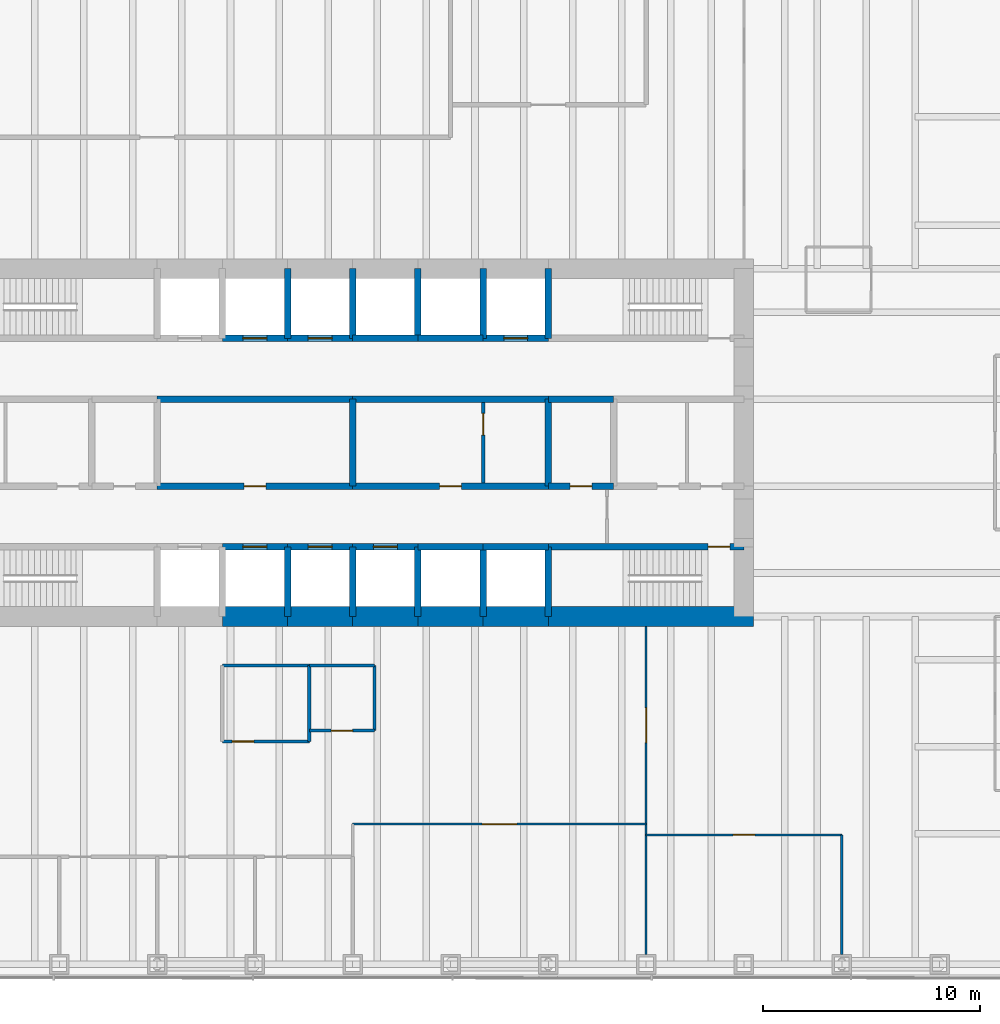
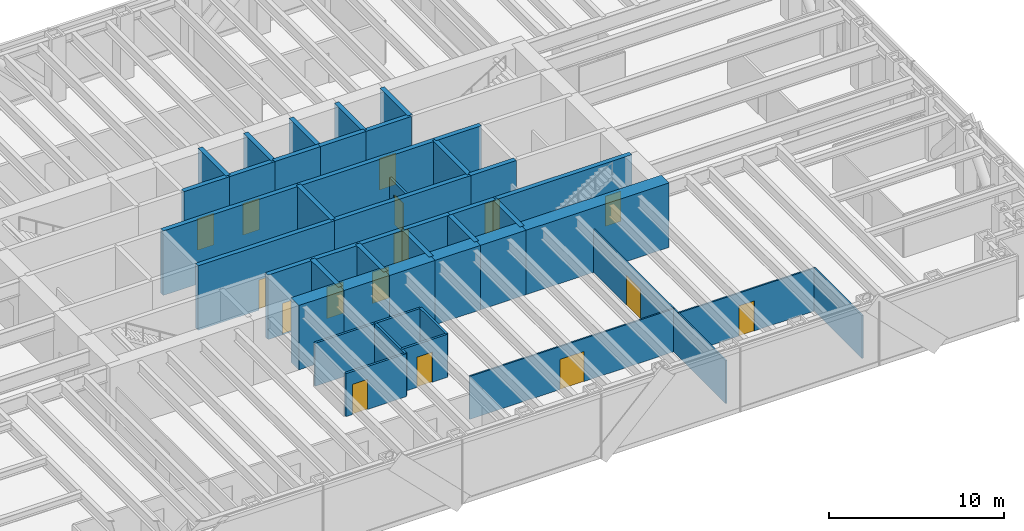
# One storey, part 10 of 13: 46 walls, 16 doors, 16 openings.
"""IFC4 building model written with IfcOpenShell, lengths in metres."""

from ifc_helpers import new_model, si_unit, direction, frame, frame_2d, origin, place, context, subcontext, project, spatial, rectangle, extrude, material, layer, layer_set, type_object, element, fill, save


model = new_model("IFC4")

# Units and contexts
model_context = context("Model", 3, precision=1e-05, world=origin(), true_north=direction((0.0, 1.0)))
body_context = subcontext(model_context, "Body", "Model", "MODEL_VIEW")
ifc_project = project(units=[si_unit("LENGTHUNIT", "METRE"), si_unit("AREAUNIT", "SQUARE_METRE"), si_unit("VOLUMEUNIT", "CUBIC_METRE"), si_unit("PLANEANGLEUNIT", "RADIAN"), si_unit("MASSUNIT", "GRAM", prefix="KILO")], contexts=[model_context])

# Site, building, storey
site_placement = place(None, origin())
site = spatial("IfcSite", under=ifc_project, at=site_placement, CompositionType="ELEMENT")
building_placement = place(site_placement, origin())
building = spatial("IfcBuilding", under=site, at=building_placement, Name="Rheinbord Bourse Tower", CompositionType="ELEMENT")
storey_placement = place(building_placement, frame((0.0, 0.0, 68.0)))
storey = spatial("IfcBuildingStorey", under=building, at=storey_placement, Name="L14", CompositionType="ELEMENT", Elevation=68.0)

# Wall, opening, door
ifc_material_1 = material(Name="Concrete C50/60", Category="concrete")
ifc_layer_1 = layer(ifc_material_1, 0.300048828125)
ifc_layer_set_1 = layer_set([ifc_layer_1], Name="CORE INNER WALL 300")
wall_type_1 = type_object("IfcWallType", Name="CORE INNER WALL 300", PredefinedType="SOLIDWALL", material=ifc_layer_set_1)
wall_1_placement = place(storey_placement, frame((30.0, 19.199951171875, 0.0), z_axis=(0.0, 0.0, 1.0), x_axis=(1.0, 0.0, 0.0)))
wall_1 = element("IfcWall", 1, at=wall_1_placement, inside=storey, type_object=wall_type_1, Name="Core wall A3 L14", PredefinedType="SOLIDWALL", context=body_context, shape_type="SweptSolid", body=[
    extrude(rectangle(XDim=3.0, YDim=0.300048828125, at=frame_2d((1.5, 0.0))), origin(), (0.0, 0.0, 1.0), 4.5),
])
opening_1_placement = place(wall_1_placement, frame((0.949951171875, 0.0, 0.0)))
opening_1 = element("IfcOpeningElement", 2, at=opening_1_placement, cuts=wall_1, Name="Opening PA1", PredefinedType="OPENING", context=body_context, shape_type="SweptSolid", body=[
    extrude(rectangle(XDim=1.10009765625, YDim=2.199951171875, at=frame_2d((0.550048828125, 1.10009765625))), frame((0.0, 0.159912109375, 0.0), z_axis=(0.0, -1.0, 0.0), x_axis=(1.0, 0.0, 0.0)), (0.0, 0.0, 1.0), 0.320068359375),
])
ifc_material_2 = material(Name="Steel landing door", Category="steel")
door_type_1 = type_object("IfcDoorType", Name="LIFT LANDING DOOR 1100", OperationType="DOUBLE_DOOR_SLIDING", PredefinedType="USERDEFINED", material=ifc_material_2)
door_1_placement = place(opening_1_placement, origin())
door_1 = element("IfcDoor", 3, at=door_1_placement, inside=storey, type_object=door_type_1, Name="Lift landing door PA1 L14", ObjectType="LIFT LANDING DOOR", OperationType="DOUBLE_DOOR_SLIDING", OverallHeight=2.199951171875, OverallWidth=1.10009765625, PredefinedType="USERDEFINED", context=body_context, shape_type="SweptSolid", body=[
    extrude(rectangle(XDim=1.10009765625, YDim=2.199951171875, at=frame_2d((0.550048828125, 1.10009765625))), frame((0.0, 0.02490234375, 0.0), z_axis=(0.0, -1.0, 0.0), x_axis=(1.0, 0.0, 0.0)), (0.0, 0.0, 1.0), 0.050048828125),
])
fill(opening_1, door_1)

wall_2_placement = place(storey_placement, frame((33.0, 19.199951171875, 0.0), z_axis=(0.0, 0.0, 1.0), x_axis=(1.0, 0.0, 0.0)))
wall_2 = element("IfcWall", 4, at=wall_2_placement, inside=storey, type_object=wall_type_1, Name="Core wall A4 L14", PredefinedType="SOLIDWALL", context=body_context, shape_type="SweptSolid", body=[
    extrude(rectangle(XDim=3.0, YDim=0.300048828125, at=frame_2d((1.5, 0.0))), origin(), (0.0, 0.0, 1.0), 4.5),
])
opening_2_placement = place(wall_2_placement, frame((0.949951171875, 0.0, 0.0)))
opening_2 = element("IfcOpeningElement", 5, at=opening_2_placement, cuts=wall_2, Name="Opening PA2", PredefinedType="OPENING", context=body_context, shape_type="SweptSolid", body=[
    extrude(rectangle(XDim=1.10009765625, YDim=2.199951171875, at=frame_2d((0.550048828125, 1.10009765625))), frame((0.0, 0.159912109375, 0.0), z_axis=(0.0, -1.0, 0.0), x_axis=(1.0, 0.0, 0.0)), (0.0, 0.0, 1.0), 0.320068359375),
])
door_2_placement = place(opening_2_placement, origin())
door_2 = element("IfcDoor", 6, at=door_2_placement, inside=storey, type_object=door_type_1, Name="Lift landing door PA2 L14", ObjectType="LIFT LANDING DOOR", OperationType="DOUBLE_DOOR_SLIDING", OverallHeight=2.199951171875, OverallWidth=1.10009765625, PredefinedType="USERDEFINED", context=body_context, shape_type="SweptSolid", body=[
    extrude(rectangle(XDim=1.10009765625, YDim=2.199951171875, at=frame_2d((0.550048828125, 1.10009765625))), frame((0.0, 0.02490234375, 0.0), z_axis=(0.0, -1.0, 0.0), x_axis=(1.0, 0.0, 0.0)), (0.0, 0.0, 1.0), 0.050048828125),
])
fill(opening_2, door_2)

wall_3_placement = place(storey_placement, frame((36.0, 19.199951171875, 0.0), z_axis=(0.0, 0.0, 1.0), x_axis=(1.0, 0.0, 0.0)))
wall_3 = element("IfcWall", 7, at=wall_3_placement, inside=storey, type_object=wall_type_1, Name="Core wall A5 L14", PredefinedType="SOLIDWALL", context=body_context, shape_type="SweptSolid", body=[
    extrude(rectangle(XDim=3.0, YDim=0.300048828125, at=frame_2d((1.5, 0.0))), origin(), (0.0, 0.0, 1.0), 4.5),
])
opening_3_placement = place(wall_3_placement, frame((0.949951171875, 0.0, 0.0)))
opening_3 = element("IfcOpeningElement", 8, at=opening_3_placement, cuts=wall_3, Name="Opening PA3", PredefinedType="OPENING", context=body_context, shape_type="SweptSolid", body=[
    extrude(rectangle(XDim=1.10009765625, YDim=2.199951171875, at=frame_2d((0.550048828125, 1.10009765625))), frame((0.0, 0.159912109375, 0.0), z_axis=(0.0, -1.0, 0.0), x_axis=(1.0, 0.0, 0.0)), (0.0, 0.0, 1.0), 0.320068359375),
])
door_3_placement = place(opening_3_placement, origin())
door_3 = element("IfcDoor", 9, at=door_3_placement, inside=storey, type_object=door_type_1, Name="Lift landing door PA3 L14", ObjectType="LIFT LANDING DOOR", OperationType="DOUBLE_DOOR_SLIDING", OverallHeight=2.199951171875, OverallWidth=1.10009765625, PredefinedType="USERDEFINED", context=body_context, shape_type="SweptSolid", body=[
    extrude(rectangle(XDim=1.10009765625, YDim=2.199951171875, at=frame_2d((0.550048828125, 1.10009765625))), frame((0.0, 0.02490234375, 0.0), z_axis=(0.0, -1.0, 0.0), x_axis=(1.0, 0.0, 0.0)), (0.0, 0.0, 1.0), 0.050048828125),
])
fill(opening_3, door_3)

# Walls
for number, where, z_axis, x_axis, name in (
    (10, (39.0, 19.199951171875, 0.0), (0.0, 0.0, 1.0), (1.0, 0.0, 0.0), "Core wall A6 L14"),
    (11, (42.0, 19.199951171875, 0.0), (0.0, 0.0, 1.0), (1.0, 0.0, 0.0), "Core wall A7 L14"),
):
    element("IfcWall", number, at=place(storey_placement, frame(where, z_axis=z_axis, x_axis=x_axis)), inside=storey, type_object=wall_type_1, Name=name, PredefinedType="SOLIDWALL", context=body_context, shape_type="SweptSolid", body=[
        extrude(rectangle(XDim=3.0, YDim=0.300048828125, at=frame_2d((1.5, 0.0))), origin(), (0.0, 0.0, 1.0), 4.5),
    ])

# Wall, opening, door
wall_4_placement = place(storey_placement, frame((45.0, 19.199951171875, 0.0), z_axis=(0.0, 0.0, 1.0), x_axis=(1.0, 0.0, 0.0)))
wall_4 = element("IfcWall", 12, at=wall_4_placement, inside=storey, type_object=wall_type_1, Name="Core wall A8 L14", PredefinedType="SOLIDWALL", context=body_context, shape_type="SweptSolid", body=[
    extrude(rectangle(XDim=9.0, YDim=0.300048828125, at=frame_2d((4.5, 0.0))), origin(), (0.0, 0.0, 1.0), 4.5),
])
opening_4_placement = place(wall_4_placement, frame((7.35009765625, 0.0, 0.0)))
opening_4 = element("IfcOpeningElement", 13, at=opening_4_placement, cuts=wall_4, Name="Opening 1430", PredefinedType="OPENING", context=body_context, shape_type="SweptSolid", body=[
    extrude(rectangle(XDim=1.0, YDim=2.10009765625, at=frame_2d((0.5, 1.050048828125))), frame((0.0, 0.159912109375, 0.0), z_axis=(0.0, -1.0, 0.0), x_axis=(1.0, 0.0, 0.0)), (0.0, 0.0, 1.0), 0.320068359375),
])
ifc_material_3 = material(Name="Steel door", Category="steel")
door_type_2 = type_object("IfcDoorType", Name="DOOR 1000 EI30", OperationType="SINGLE_SWING_LEFT", PredefinedType="DOOR", material=ifc_material_3)
door_4_placement = place(opening_4_placement, origin())
door_4 = element("IfcDoor", 14, at=door_4_placement, inside=storey, type_object=door_type_2, Name="Stair door ST3 L14", OperationType="SINGLE_SWING_RIGHT", OverallHeight=2.10009765625, OverallWidth=1.0, PredefinedType="DOOR", context=body_context, shape_type="SweptSolid", body=[
    extrude(rectangle(XDim=1.0, YDim=2.10009765625, at=frame_2d((0.5, 1.050048828125))), frame((0.0, 0.02490234375, 0.0), z_axis=(0.0, -1.0, 0.0), x_axis=(1.0, 0.0, 0.0)), (0.0, 0.0, 1.0), 0.050048828125),
])
fill(opening_4, door_4)

wall_5_placement = place(storey_placement, frame((30.0, 28.800048828125, 0.0), z_axis=(0.0, 0.0, 1.0), x_axis=(1.0, 0.0, 0.0)))
wall_5 = element("IfcWall", 15, at=wall_5_placement, inside=storey, type_object=wall_type_1, Name="Core wall B3 L14", PredefinedType="SOLIDWALL", context=body_context, shape_type="SweptSolid", body=[
    extrude(rectangle(XDim=3.0, YDim=0.300048828125, at=frame_2d((1.5, 0.0))), origin(), (0.0, 0.0, 1.0), 4.5),
])
opening_5_placement = place(wall_5_placement, frame((0.949951171875, 0.0, 0.0)))
opening_5 = element("IfcOpeningElement", 16, at=opening_5_placement, cuts=wall_5, Name="Opening PA4", PredefinedType="OPENING", context=body_context, shape_type="SweptSolid", body=[
    extrude(rectangle(XDim=1.10009765625, YDim=2.199951171875, at=frame_2d((0.550048828125, 1.10009765625))), frame((0.0, 0.159912109375, 0.0), z_axis=(0.0, -1.0, 0.0), x_axis=(1.0, 0.0, 0.0)), (0.0, 0.0, 1.0), 0.320068359375),
])
door_5_placement = place(opening_5_placement, origin())
door_5 = element("IfcDoor", 17, at=door_5_placement, inside=storey, type_object=door_type_1, Name="Lift landing door PA4 L14", ObjectType="LIFT LANDING DOOR", OperationType="DOUBLE_DOOR_SLIDING", OverallHeight=2.199951171875, OverallWidth=1.10009765625, PredefinedType="USERDEFINED", context=body_context, shape_type="SweptSolid", body=[
    extrude(rectangle(XDim=1.10009765625, YDim=2.199951171875, at=frame_2d((0.550048828125, 1.10009765625))), frame((0.0, 0.02490234375, 0.0), z_axis=(0.0, -1.0, 0.0), x_axis=(1.0, 0.0, 0.0)), (0.0, 0.0, 1.0), 0.050048828125),
])
fill(opening_5, door_5)

wall_6_placement = place(storey_placement, frame((33.0, 28.800048828125, 0.0), z_axis=(0.0, 0.0, 1.0), x_axis=(1.0, 0.0, 0.0)))
wall_6 = element("IfcWall", 18, at=wall_6_placement, inside=storey, type_object=wall_type_1, Name="Core wall B4 L14", PredefinedType="SOLIDWALL", context=body_context, shape_type="SweptSolid", body=[
    extrude(rectangle(XDim=3.0, YDim=0.300048828125, at=frame_2d((1.5, 0.0))), origin(), (0.0, 0.0, 1.0), 4.5),
])
opening_6_placement = place(wall_6_placement, frame((0.949951171875, 0.0, 0.0)))
opening_6 = element("IfcOpeningElement", 19, at=opening_6_placement, cuts=wall_6, Name="Opening PA5", PredefinedType="OPENING", context=body_context, shape_type="SweptSolid", body=[
    extrude(rectangle(XDim=1.10009765625, YDim=2.199951171875, at=frame_2d((0.550048828125, 1.10009765625))), frame((0.0, 0.159912109375, 0.0), z_axis=(0.0, -1.0, 0.0), x_axis=(1.0, 0.0, 0.0)), (0.0, 0.0, 1.0), 0.320068359375),
])
door_6_placement = place(opening_6_placement, origin())
door_6 = element("IfcDoor", 20, at=door_6_placement, inside=storey, type_object=door_type_1, Name="Lift landing door PA5 L14", ObjectType="LIFT LANDING DOOR", OperationType="DOUBLE_DOOR_SLIDING", OverallHeight=2.199951171875, OverallWidth=1.10009765625, PredefinedType="USERDEFINED", context=body_context, shape_type="SweptSolid", body=[
    extrude(rectangle(XDim=1.10009765625, YDim=2.199951171875, at=frame_2d((0.550048828125, 1.10009765625))), frame((0.0, 0.02490234375, 0.0), z_axis=(0.0, -1.0, 0.0), x_axis=(1.0, 0.0, 0.0)), (0.0, 0.0, 1.0), 0.050048828125),
])
fill(opening_6, door_6)

# Walls
for number, where, z_axis, x_axis, name in (
    (21, (36.0, 28.800048828125, 0.0), (0.0, 0.0, 1.0), (1.0, 0.0, 0.0), "Core wall B5 L14"),
    (22, (39.0, 28.800048828125, 0.0), (0.0, 0.0, 1.0), (1.0, 0.0, 0.0), "Core wall B6 L14"),
):
    element("IfcWall", number, at=place(storey_placement, frame(where, z_axis=z_axis, x_axis=x_axis)), inside=storey, type_object=wall_type_1, Name=name, PredefinedType="SOLIDWALL", context=body_context, shape_type="SweptSolid", body=[
        extrude(rectangle(XDim=3.0, YDim=0.300048828125, at=frame_2d((1.5, 0.0))), origin(), (0.0, 0.0, 1.0), 4.5),
    ])

# Wall, opening, door
wall_7_placement = place(storey_placement, frame((42.0, 28.800048828125, 0.0), z_axis=(0.0, 0.0, 1.0), x_axis=(1.0, 0.0, 0.0)))
wall_7 = element("IfcWall", 23, at=wall_7_placement, inside=storey, type_object=wall_type_1, Name="Core wall B7 L14", PredefinedType="SOLIDWALL", context=body_context, shape_type="SweptSolid", body=[
    extrude(rectangle(XDim=3.0, YDim=0.300048828125, at=frame_2d((1.5, 0.0))), origin(), (0.0, 0.0, 1.0), 4.5),
])
opening_7_placement = place(wall_7_placement, frame((0.949951171875, 0.0, 0.0)))
opening_7 = element("IfcOpeningElement", 24, at=opening_7_placement, cuts=wall_7, Name="Opening FL2", PredefinedType="OPENING", context=body_context, shape_type="SweptSolid", body=[
    extrude(rectangle(XDim=1.10009765625, YDim=2.199951171875, at=frame_2d((0.550048828125, 1.10009765625))), frame((0.0, 0.159912109375, 0.0), z_axis=(0.0, -1.0, 0.0), x_axis=(1.0, 0.0, 0.0)), (0.0, 0.0, 1.0), 0.320068359375),
])
door_7_placement = place(opening_7_placement, origin())
door_7 = element("IfcDoor", 25, at=door_7_placement, inside=storey, type_object=door_type_1, Name="Lift landing door FL2 L14", ObjectType="LIFT LANDING DOOR", OperationType="DOUBLE_DOOR_SLIDING", OverallHeight=2.199951171875, OverallWidth=1.10009765625, PredefinedType="USERDEFINED", context=body_context, shape_type="SweptSolid", body=[
    extrude(rectangle(XDim=1.10009765625, YDim=2.199951171875, at=frame_2d((0.550048828125, 1.10009765625))), frame((0.0, 0.02490234375, 0.0), z_axis=(0.0, -1.0, 0.0), x_axis=(1.0, 0.0, 0.0)), (0.0, 0.0, 1.0), 0.050048828125),
])
fill(opening_7, door_7)

wall_8_placement = place(storey_placement, frame((27.0, 22.0, 0.0), z_axis=(0.0, 0.0, 1.0), x_axis=(1.0, 0.0, 0.0)))
wall_8 = element("IfcWall", 26, at=wall_8_placement, inside=storey, type_object=wall_type_1, Name="Core wall C3 L14", PredefinedType="SOLIDWALL", context=body_context, shape_type="SweptSolid", body=[
    extrude(rectangle(XDim=9.0, YDim=0.300048828125, at=frame_2d((4.5, 0.0))), origin(), (0.0, 0.0, 1.0), 4.5),
])
opening_8_placement = place(wall_8_placement, frame((4.0, 0.0, 0.0)))
opening_8 = element("IfcOpeningElement", 27, at=opening_8_placement, cuts=wall_8, Name="Opening 14R3", PredefinedType="OPENING", context=body_context, shape_type="SweptSolid", body=[
    extrude(rectangle(XDim=1.0, YDim=2.10009765625, at=frame_2d((0.5, 1.050048828125))), frame((0.0, 0.159912109375, 0.0), z_axis=(0.0, -1.0, 0.0), x_axis=(1.0, 0.0, 0.0)), (0.0, 0.0, 1.0), 0.320068359375),
])
door_8_placement = place(opening_8_placement, origin())
door_8 = element("IfcDoor", 28, at=door_8_placement, inside=storey, type_object=door_type_2, Name="Riser door L14", OperationType="SINGLE_SWING_LEFT", OverallHeight=2.10009765625, OverallWidth=1.0, PredefinedType="DOOR", context=body_context, shape_type="SweptSolid", body=[
    extrude(rectangle(XDim=1.0, YDim=2.10009765625, at=frame_2d((0.5, 1.050048828125))), frame((0.0, 0.02490234375, 0.0), z_axis=(0.0, -1.0, 0.0), x_axis=(1.0, 0.0, 0.0)), (0.0, 0.0, 1.0), 0.050048828125),
])
fill(opening_8, door_8)

wall_9_placement = place(storey_placement, frame((36.0, 22.0, 0.0), z_axis=(0.0, 0.0, 1.0), x_axis=(1.0, 0.0, 0.0)))
wall_9 = element("IfcWall", 29, at=wall_9_placement, inside=storey, type_object=wall_type_1, Name="Core wall C4 L14", PredefinedType="SOLIDWALL", context=body_context, shape_type="SweptSolid", body=[
    extrude(rectangle(XDim=9.0, YDim=0.300048828125, at=frame_2d((4.5, 0.0))), origin(), (0.0, 0.0, 1.0), 4.5),
])
opening_9_placement = place(wall_9_placement, frame((4.0, 0.0, 0.0)))
opening_9 = element("IfcOpeningElement", 30, at=opening_9_placement, cuts=wall_9, Name="Opening 14R4", PredefinedType="OPENING", context=body_context, shape_type="SweptSolid", body=[
    extrude(rectangle(XDim=1.0, YDim=2.10009765625, at=frame_2d((0.5, 1.050048828125))), frame((0.0, 0.159912109375, 0.0), z_axis=(0.0, -1.0, 0.0), x_axis=(1.0, 0.0, 0.0)), (0.0, 0.0, 1.0), 0.320068359375),
])
door_9_placement = place(opening_9_placement, origin())
door_9 = element("IfcDoor", 31, at=door_9_placement, inside=storey, type_object=door_type_2, Name="IT room door L14", OperationType="SINGLE_SWING_LEFT", OverallHeight=2.10009765625, OverallWidth=1.0, PredefinedType="DOOR", context=body_context, shape_type="SweptSolid", body=[
    extrude(rectangle(XDim=1.0, YDim=2.10009765625, at=frame_2d((0.5, 1.050048828125))), frame((0.0, 0.02490234375, 0.0), z_axis=(0.0, -1.0, 0.0), x_axis=(1.0, 0.0, 0.0)), (0.0, 0.0, 1.0), 0.050048828125),
])
fill(opening_9, door_9)

wall_10_placement = place(storey_placement, frame((45.0, 22.0, 0.0), z_axis=(0.0, 0.0, 1.0), x_axis=(1.0, 0.0, 0.0)))
wall_10 = element("IfcWall", 32, at=wall_10_placement, inside=storey, type_object=wall_type_1, Name="Core wall C5 L14", PredefinedType="SOLIDWALL", context=body_context, shape_type="SweptSolid", body=[
    extrude(rectangle(XDim=3.0, YDim=0.300048828125, at=frame_2d((1.5, 0.0))), origin(), (0.0, 0.0, 1.0), 4.5),
])
opening_10_placement = place(wall_10_placement, frame((1.0, 0.0, 0.0)))
opening_10 = element("IfcOpeningElement", 33, at=opening_10_placement, cuts=wall_10, Name="Opening 14R5", PredefinedType="OPENING", context=body_context, shape_type="SweptSolid", body=[
    extrude(rectangle(XDim=1.0, YDim=2.10009765625, at=frame_2d((0.5, 1.050048828125))), frame((0.0, 0.159912109375, 0.0), z_axis=(0.0, -1.0, 0.0), x_axis=(1.0, 0.0, 0.0)), (0.0, 0.0, 1.0), 0.320068359375),
])
ifc_material_4 = material(Name="Timber door", Category="wood")
door_type_3 = type_object("IfcDoorType", Name="DOOR 1000 WC", OperationType="SINGLE_SWING_LEFT", PredefinedType="DOOR", material=ifc_material_4)
door_10_placement = place(opening_10_placement, origin())
door_10 = element("IfcDoor", 34, at=door_10_placement, inside=storey, type_object=door_type_3, Name="Accessible WC door L14", OperationType="SINGLE_SWING_LEFT", OverallHeight=2.10009765625, OverallWidth=1.0, PredefinedType="DOOR", context=body_context, shape_type="SweptSolid", body=[
    extrude(rectangle(XDim=1.0, YDim=2.10009765625, at=frame_2d((0.5, 1.050048828125))), frame((0.0, 0.02490234375, 0.0), z_axis=(0.0, -1.0, 0.0), x_axis=(1.0, 0.0, 0.0)), (0.0, 0.0, 1.0), 0.050048828125),
])
fill(opening_10, door_10)

# Walls
for number, where, z_axis, x_axis, name in (
    (35, (27.0, 26.0, 0.0), (0.0, 0.0, 1.0), (1.0, 0.0, 0.0), "Core wall D3 L14"),
    (36, (36.0, 26.0, 0.0), (0.0, 0.0, 1.0), (1.0, 0.0, 0.0), "Core wall D4 L14"),
):
    element("IfcWall", number, at=place(storey_placement, frame(where, z_axis=z_axis, x_axis=x_axis)), inside=storey, type_object=wall_type_1, Name=name, PredefinedType="SOLIDWALL", context=body_context, shape_type="SweptSolid", body=[
        extrude(rectangle(XDim=9.0, YDim=0.300048828125, at=frame_2d((4.5, 0.0))), origin(), (0.0, 0.0, 1.0), 4.5),
    ])
wall_11_placement = place(storey_placement, frame((45.0, 26.0, 0.0), z_axis=(0.0, 0.0, 1.0), x_axis=(1.0, 0.0, 0.0)))
element("IfcWall", 37, at=wall_11_placement, inside=storey, type_object=wall_type_1, Name="Core wall D5 L14", PredefinedType="SOLIDWALL", context=body_context, shape_type="SweptSolid", body=[
    extrude(rectangle(XDim=3.0, YDim=0.300048828125, at=frame_2d((1.5, 0.0))), origin(), (0.0, 0.0, 1.0), 4.5),
])
for number, where, z_axis, x_axis, name in (
    (38, (33.0, 16.0, 0.0), (0.0, 0.0, 1.0), (0.0, 1.0, 0.0), "Core wall SX33 L14"),
    (39, (33.0, 28.800048828125, 0.0), (0.0, 0.0, 1.0), (0.0, 1.0, 0.0), "Core wall NX33 L14"),
    (40, (36.0, 16.0, 0.0), (0.0, 0.0, 1.0), (0.0, 1.0, 0.0), "Core wall SX36 L14"),
    (41, (36.0, 28.800048828125, 0.0), (0.0, 0.0, 1.0), (0.0, 1.0, 0.0), "Core wall NX36 L14"),
    (42, (39.0, 16.0, 0.0), (0.0, 0.0, 1.0), (0.0, 1.0, 0.0), "Core wall SX39 L14"),
    (43, (39.0, 28.800048828125, 0.0), (0.0, 0.0, 1.0), (0.0, 1.0, 0.0), "Core wall NX39 L14"),
    (44, (42.0, 16.0, 0.0), (0.0, 0.0, 1.0), (0.0, 1.0, 0.0), "Core wall SX42 L14"),
    (45, (42.0, 28.800048828125, 0.0), (0.0, 0.0, 1.0), (0.0, 1.0, 0.0), "Core wall NX42 L14"),
    (46, (45.0, 16.0, 0.0), (0.0, 0.0, 1.0), (0.0, 1.0, 0.0), "Core wall SX45 L14"),
    (47, (45.0, 28.800048828125, 0.0), (0.0, 0.0, 1.0), (0.0, 1.0, 0.0), "Core wall NX45 L14"),
):
    element("IfcWall", number, at=place(storey_placement, frame(where, z_axis=z_axis, x_axis=x_axis)), inside=storey, type_object=wall_type_1, Name=name, PredefinedType="SOLIDWALL", context=body_context, shape_type="SweptSolid", body=[
        extrude(rectangle(XDim=3.199951171875, YDim=0.300048828125, at=frame_2d((1.60009765625, 0.0))), origin(), (0.0, 0.0, 1.0), 4.5),
    ])
for number, where, z_axis, x_axis, name in (
    (48, (36.0, 22.0, 0.0), (0.0, 0.0, 1.0), (0.0, 1.0, 0.0), "Core wall MX36 L14"),
    (49, (45.0, 22.0, 0.0), (0.0, 0.0, 1.0), (0.0, 1.0, 0.0), "Core wall MX45 L14"),
):
    element("IfcWall", number, at=place(storey_placement, frame(where, z_axis=z_axis, x_axis=x_axis)), inside=storey, type_object=wall_type_1, Name=name, PredefinedType="SOLIDWALL", context=body_context, shape_type="SweptSolid", body=[
        extrude(rectangle(XDim=4.0, YDim=0.300048828125, at=frame_2d((2.0, 0.0))), origin(), (0.0, 0.0, 1.0), 4.5),
    ])

# Wall, opening, door
ifc_material_5 = material(Name="Gypsum board fire partition", Category="gypsum board")
ifc_layer_2 = layer(ifc_material_5, 0.14990234375)
ifc_layer_set_2 = layer_set([ifc_layer_2], Name="CORE PARTITION 150 EI30")
wall_type_2 = type_object("IfcWallType", Name="CORE PARTITION 150 EI30", PredefinedType="PARTITIONING", material=ifc_layer_set_2)
wall_12_placement = place(storey_placement, frame((42.0, 22.14990234375, 0.0), z_axis=(0.0, 0.0, 1.0), x_axis=(0.0, 1.0, 0.0)))
wall_12 = element("IfcWall", 50, at=wall_12_placement, inside=storey, type_object=wall_type_2, Name="Core partition L14-1", PredefinedType="PARTITIONING", context=body_context, shape_type="SweptSolid", body=[
    extrude(rectangle(XDim=3.7001953125, YDim=0.14990234375, at=frame_2d((1.85009765625, 0.0))), origin(), (0.0, 0.0, 1.0), 3.0),
])
opening_11_placement = place(wall_12_placement, frame((2.199951171875, 0.0, 0.0)))
opening_11 = element("IfcOpeningElement", 51, at=opening_11_placement, cuts=wall_12, Name="Opening 14R7", PredefinedType="OPENING", context=body_context, shape_type="SweptSolid", body=[
    extrude(rectangle(XDim=1.0, YDim=2.10009765625, at=frame_2d((0.5, 1.050048828125))), frame((0.0, 0.0849609375, 0.0), z_axis=(0.0, -1.0, 0.0), x_axis=(1.0, 0.0, 0.0)), (0.0, 0.0, 1.0), 0.169921875),
])
door_11_placement = place(opening_11_placement, origin())
door_11 = element("IfcDoor", 52, at=door_11_placement, inside=storey, type_object=door_type_2, Name="Store door L14", OperationType="SINGLE_SWING_RIGHT", OverallHeight=2.10009765625, OverallWidth=1.0, PredefinedType="DOOR", context=body_context, shape_type="SweptSolid", body=[
    extrude(rectangle(XDim=1.0, YDim=2.10009765625, at=frame_2d((0.5, 1.050048828125))), frame((0.0, 0.02490234375, 0.0), z_axis=(0.0, -1.0, 0.0), x_axis=(1.0, 0.0, 0.0)), (0.0, 0.0, 1.0), 0.050048828125),
])
fill(opening_11, door_11)

# Walls
ifc_material_6 = material(Name="Concrete C50/60", Category="concrete")
ifc_layer_3 = layer(ifc_material_6, 0.89990234375)
ifc_layer_set_3 = layer_set([ifc_layer_3], Name="CORE WALL 900")
wall_type_3 = type_object("IfcWallType", Name="CORE WALL 900", PredefinedType="SHEAR", material=ifc_layer_set_3)
for number, where, z_axis, x_axis, name in (
    (53, (30.0, 16.0, 0.0), (0.0, 0.0, 1.0), (1.0, 0.0, 0.0), "Core wall S3 L14"),
    (54, (33.0, 16.0, 0.0), (0.0, 0.0, 1.0), (1.0, 0.0, 0.0), "Core wall S4 L14"),
    (55, (36.0, 16.0, 0.0), (0.0, 0.0, 1.0), (1.0, 0.0, 0.0), "Core wall S5 L14"),
    (56, (39.0, 16.0, 0.0), (0.0, 0.0, 1.0), (1.0, 0.0, 0.0), "Core wall S6 L14"),
    (57, (42.0, 16.0, 0.0), (0.0, 0.0, 1.0), (1.0, 0.0, 0.0), "Core wall S7 L14"),
):
    element("IfcWall", number, at=place(storey_placement, frame(where, z_axis=z_axis, x_axis=x_axis)), inside=storey, type_object=wall_type_3, Name=name, PredefinedType="SHEAR", context=body_context, shape_type="SweptSolid", body=[
        extrude(rectangle(XDim=3.0, YDim=0.89990234375, at=frame_2d((1.5, 0.0))), origin(), (0.0, 0.0, 1.0), 4.5),
    ])
wall_13_placement = place(storey_placement, frame((45.0, 16.0, 0.0), z_axis=(0.0, 0.0, 1.0), x_axis=(1.0, 0.0, 0.0)))
element("IfcWall", 58, at=wall_13_placement, inside=storey, type_object=wall_type_3, Name="Core wall S8 L14", PredefinedType="SHEAR", context=body_context, shape_type="SweptSolid", body=[
    extrude(rectangle(XDim=9.449951171875, YDim=0.89990234375, at=frame_2d((4.72509765625, 0.0))), origin(), (0.0, 0.0, 1.0), 4.5),
])

# Wall, opening, door
ifc_material_7 = material(Name="Gypsum board fire partition", Category="gypsum board")
ifc_layer_4 = layer(ifc_material_7, 0.14990234375)
ifc_layer_set_4 = layer_set([ifc_layer_4], Name="FIRE PARTITION 150 EI60")
wall_type_4 = type_object("IfcWallType", Name="FIRE PARTITION 150 EI60", PredefinedType="PARTITIONING", material=ifc_layer_set_4)
wall_14_placement = place(storey_placement, frame((30.0, 10.25, 0.0), z_axis=(0.0, 0.0, 1.0), x_axis=(1.0, 0.0, 0.0)))
wall_14 = element("IfcWall", 59, at=wall_14_placement, inside=storey, type_object=wall_type_4, Name="Partition L14-05", PredefinedType="PARTITIONING", context=body_context, shape_type="SweptSolid", body=[
    extrude(rectangle(XDim=4.0, YDim=0.14990234375, at=frame_2d((2.0, 0.0))), origin(), (0.0, 0.0, 1.0), 3.0),
])
opening_12_placement = place(wall_14_placement, frame((0.449951171875, 0.0, 0.0)))
opening_12 = element("IfcOpeningElement", 60, at=opening_12_placement, cuts=wall_14, Name="Opening 14D09", PredefinedType="OPENING", context=body_context, shape_type="SweptSolid", body=[
    extrude(rectangle(XDim=1.0, YDim=2.10009765625, at=frame_2d((0.5, 1.050048828125))), frame((0.0, 0.0849609375, 0.0), z_axis=(0.0, -1.0, 0.0), x_axis=(1.0, 0.0, 0.0)), (0.0, 0.0, 1.0), 0.169921875),
])
ifc_material_8 = material(Name="Timber fire door", Category="wood")
door_type_4 = type_object("IfcDoorType", Name="FIRE DOOR 1000 EI60", OperationType="SINGLE_SWING_LEFT", PredefinedType="DOOR", material=ifc_material_8)
door_12_placement = place(opening_12_placement, origin())
door_12 = element("IfcDoor", 61, at=door_12_placement, inside=storey, type_object=door_type_4, Name="Document store door L14", OperationType="SINGLE_SWING_LEFT", OverallHeight=2.10009765625, OverallWidth=1.0, PredefinedType="DOOR", context=body_context, shape_type="SweptSolid", body=[
    extrude(rectangle(XDim=1.0, YDim=2.10009765625, at=frame_2d((0.5, 1.050048828125))), frame((0.0, 0.02490234375, 0.0), z_axis=(0.0, -1.0, 0.0), x_axis=(1.0, 0.0, 0.0)), (0.0, 0.0, 1.0), 0.050048828125),
])
fill(opening_12, door_12)

# Walls
wall_15_placement = place(storey_placement, frame((30.0, 13.75, 0.0), z_axis=(0.0, 0.0, 1.0), x_axis=(1.0, 0.0, 0.0)))
element("IfcWall", 62, at=wall_15_placement, inside=storey, type_object=wall_type_4, Name="Partition L14-08", PredefinedType="PARTITIONING", context=body_context, shape_type="SweptSolid", body=[
    extrude(rectangle(XDim=4.0, YDim=0.14990234375, at=frame_2d((2.0, 0.0))), origin(), (0.0, 0.0, 1.0), 3.0),
])
wall_16_placement = place(storey_placement, frame((34.0, 10.25, 0.0), z_axis=(0.0, 0.0, 1.0), x_axis=(0.0, 1.0, 0.0)))
element("IfcWall", 63, at=wall_16_placement, inside=storey, type_object=wall_type_4, Name="Partition L14-32", PredefinedType="PARTITIONING", context=body_context, shape_type="SweptSolid", body=[
    extrude(rectangle(XDim=3.5, YDim=0.14990234375, at=frame_2d((1.75, 0.0))), origin(), (0.0, 0.0, 1.0), 3.0),
])

# Wall, opening, door
ifc_material_9 = material(Name="Toughened laminated glass partition", Category="glass")
ifc_layer_5 = layer(ifc_material_9, 0.10009765625)
ifc_layer_set_5 = layer_set([ifc_layer_5], Name="GLAZED PARTITION 100")
wall_type_5 = type_object("IfcWallType", Name="GLAZED PARTITION 100", PredefinedType="PARTITIONING", material=ifc_layer_set_5)
wall_17_placement = place(storey_placement, frame((49.5, 5.949951171875, 0.0), z_axis=(0.0, 0.0, 1.0), x_axis=(1.0, 0.0, 0.0)))
wall_17 = element("IfcWall", 64, at=wall_17_placement, inside=storey, type_object=wall_type_5, Name="Partition L14-02", PredefinedType="PARTITIONING", context=body_context, shape_type="SweptSolid", body=[
    extrude(rectangle(XDim=9.0, YDim=0.10009765625, at=frame_2d((4.5, 0.0))), origin(), (0.0, 0.0, 1.0), 3.0),
])
opening_13_placement = place(wall_17_placement, frame((4.0, 0.0, 0.0)))
opening_13 = element("IfcOpeningElement", 65, at=opening_13_placement, cuts=wall_17, Name="Opening 14D07", PredefinedType="OPENING", context=body_context, shape_type="SweptSolid", body=[
    extrude(rectangle(XDim=1.0, YDim=2.10009765625, at=frame_2d((0.5, 1.050048828125))), frame((0.0, 0.06005859375, 0.0), z_axis=(0.0, -1.0, 0.0), x_axis=(1.0, 0.0, 0.0)), (0.0, 0.0, 1.0), 0.1201171875),
])
ifc_material_10 = material(Name="Timber door", Category="wood")
door_type_5 = type_object("IfcDoorType", Name="ROOM DOOR 1000", OperationType="SINGLE_SWING_LEFT", PredefinedType="DOOR", material=ifc_material_10)
door_13_placement = place(opening_13_placement, origin())
door_13 = element("IfcDoor", 66, at=door_13_placement, inside=storey, type_object=door_type_5, Name="Meeting room door L14", OperationType="SINGLE_SWING_LEFT", OverallHeight=2.10009765625, OverallWidth=1.0, PredefinedType="DOOR", context=body_context, shape_type="SweptSolid", body=[
    extrude(rectangle(XDim=1.0, YDim=2.10009765625, at=frame_2d((0.5, 1.050048828125))), frame((0.0, 0.02490234375, 0.0), z_axis=(0.0, -1.0, 0.0), x_axis=(1.0, 0.0, 0.0)), (0.0, 0.0, 1.0), 0.050048828125),
])
fill(opening_13, door_13)

wall_18_placement = place(storey_placement, frame((36.0, 6.449951171875, 0.0), z_axis=(0.0, 0.0, 1.0), x_axis=(1.0, 0.0, 0.0)))
wall_18 = element("IfcWall", 67, at=wall_18_placement, inside=storey, type_object=wall_type_5, Name="Partition L14-03", PredefinedType="PARTITIONING", context=body_context, shape_type="SweptSolid", body=[
    extrude(rectangle(XDim=13.5, YDim=0.10009765625, at=frame_2d((6.75, 0.0))), origin(), (0.0, 0.0, 1.0), 3.0),
])
opening_14_placement = place(wall_18_placement, frame((5.949951171875, 0.0, 0.0)))
opening_14 = element("IfcOpeningElement", 68, at=opening_14_placement, cuts=wall_18, Name="Opening 14D08", PredefinedType="OPENING", context=body_context, shape_type="SweptSolid", body=[
    extrude(rectangle(XDim=1.60009765625, YDim=2.10009765625, at=frame_2d((0.800048828125, 1.050048828125))), frame((0.0, 0.06005859375, 0.0), z_axis=(0.0, -1.0, 0.0), x_axis=(1.0, 0.0, 0.0)), (0.0, 0.0, 1.0), 0.1201171875),
])
ifc_material_11 = material(Name="Timber door", Category="wood")
door_type_6 = type_object("IfcDoorType", Name="DOUBLE ROOM DOOR 1600", OperationType="DOUBLE_DOOR_DOUBLE_SWING", PredefinedType="DOOR", material=ifc_material_11)
door_14_placement = place(opening_14_placement, origin())
door_14 = element("IfcDoor", 69, at=door_14_placement, inside=storey, type_object=door_type_6, Name="Collateral desk room door L14", OperationType="SINGLE_SWING_LEFT", OverallHeight=2.10009765625, OverallWidth=1.60009765625, PredefinedType="DOOR", context=body_context, shape_type="SweptSolid", body=[
    extrude(rectangle(XDim=1.60009765625, YDim=2.10009765625, at=frame_2d((0.800048828125, 1.050048828125))), frame((0.0, 0.02490234375, 0.0), z_axis=(0.0, -1.0, 0.0), x_axis=(1.0, 0.0, 0.0)), (0.0, 0.0, 1.0), 0.050048828125),
])
fill(opening_14, door_14)

wall_19_placement = place(storey_placement, frame((49.5, 0.449951171875, 0.0), z_axis=(0.0, 0.0, 1.0), x_axis=(0.0, 1.0, 0.0)))
wall_19 = element("IfcWall", 70, at=wall_19_placement, inside=storey, type_object=wall_type_5, Name="Partition L14-37", PredefinedType="PARTITIONING", context=body_context, shape_type="SweptSolid", body=[
    extrude(rectangle(XDim=15.10009765625, YDim=0.10009765625, at=frame_2d((7.550048828125, 0.0))), origin(), (0.0, 0.0, 1.0), 3.0),
])
opening_15_placement = place(wall_19_placement, frame((9.75, 0.0, 0.0)))
opening_15 = element("IfcOpeningElement", 71, at=opening_15_placement, cuts=wall_19, Name="Opening 14D20", PredefinedType="OPENING", context=body_context, shape_type="SweptSolid", body=[
    extrude(rectangle(XDim=1.60009765625, YDim=2.10009765625, at=frame_2d((0.800048828125, 1.050048828125))), frame((0.0, 0.06005859375, 0.0), z_axis=(0.0, -1.0, 0.0), x_axis=(1.0, 0.0, 0.0)), (0.0, 0.0, 1.0), 0.1201171875),
])
door_15_placement = place(opening_15_placement, origin())
door_15 = element("IfcDoor", 72, at=door_15_placement, inside=storey, type_object=door_type_6, Name="Open area door L14", OperationType="SINGLE_SWING_LEFT", OverallHeight=2.10009765625, OverallWidth=1.60009765625, PredefinedType="DOOR", context=body_context, shape_type="SweptSolid", body=[
    extrude(rectangle(XDim=1.60009765625, YDim=2.10009765625, at=frame_2d((0.800048828125, 1.050048828125))), frame((0.0, 0.02490234375, 0.0), z_axis=(0.0, -1.0, 0.0), x_axis=(1.0, 0.0, 0.0)), (0.0, 0.0, 1.0), 0.050048828125),
])
fill(opening_15, door_15)

# Wall
wall_20_placement = place(storey_placement, frame((58.5, 0.449951171875, 0.0), z_axis=(0.0, 0.0, 1.0), x_axis=(0.0, 1.0, 0.0)))
element("IfcWall", 73, at=wall_20_placement, inside=storey, type_object=wall_type_5, Name="Partition L14-41", PredefinedType="PARTITIONING", context=body_context, shape_type="SweptSolid", body=[
    extrude(rectangle(XDim=5.5, YDim=0.10009765625, at=frame_2d((2.75, 0.0))), origin(), (0.0, 0.0, 1.0), 3.0),
])

# Wall, opening, door
ifc_material_12 = material(Name="Gypsum board partition", Category="gypsum board")
ifc_layer_6 = layer(ifc_material_12, 0.14990234375)
ifc_layer_set_6 = layer_set([ifc_layer_6], Name="PARTITION 150")
wall_type_6 = type_object("IfcWallType", Name="PARTITION 150", PredefinedType="PARTITIONING", material=ifc_layer_set_6)
wall_21_placement = place(storey_placement, frame((34.0, 10.75, 0.0), z_axis=(0.0, 0.0, 1.0), x_axis=(1.0, 0.0, 0.0)))
wall_21 = element("IfcWall", 74, at=wall_21_placement, inside=storey, type_object=wall_type_6, Name="Partition L14-06", PredefinedType="PARTITIONING", context=body_context, shape_type="SweptSolid", body=[
    extrude(rectangle(XDim=3.0, YDim=0.14990234375, at=frame_2d((1.5, 0.0))), origin(), (0.0, 0.0, 1.0), 3.0),
])
opening_16_placement = place(wall_21_placement, frame((1.0, 0.0, 0.0)))
opening_16 = element("IfcOpeningElement", 75, at=opening_16_placement, cuts=wall_21, Name="Opening 14D11", PredefinedType="OPENING", context=body_context, shape_type="SweptSolid", body=[
    extrude(rectangle(XDim=1.0, YDim=2.10009765625, at=frame_2d((0.5, 1.050048828125))), frame((0.0, 0.0849609375, 0.0), z_axis=(0.0, -1.0, 0.0), x_axis=(1.0, 0.0, 0.0)), (0.0, 0.0, 1.0), 0.169921875),
])
door_16_placement = place(opening_16_placement, origin())
door_16 = element("IfcDoor", 76, at=door_16_placement, inside=storey, type_object=door_type_5, Name="Print room door L14", OperationType="SINGLE_SWING_LEFT", OverallHeight=2.10009765625, OverallWidth=1.0, PredefinedType="DOOR", context=body_context, shape_type="SweptSolid", body=[
    extrude(rectangle(XDim=1.0, YDim=2.10009765625, at=frame_2d((0.5, 1.050048828125))), frame((0.0, 0.02490234375, 0.0), z_axis=(0.0, -1.0, 0.0), x_axis=(1.0, 0.0, 0.0)), (0.0, 0.0, 1.0), 0.050048828125),
])
fill(opening_16, door_16)

# Walls
for number, where, z_axis, x_axis, name in (
    (77, (34.0, 13.75, 0.0), (0.0, 0.0, 1.0), (1.0, 0.0, 0.0), "Partition L14-09"),
    (78, (37.0, 10.75, 0.0), (0.0, 0.0, 1.0), (0.0, 1.0, 0.0), "Partition L14-35"),
):
    element("IfcWall", number, at=place(storey_placement, frame(where, z_axis=z_axis, x_axis=x_axis)), inside=storey, type_object=wall_type_6, Name=name, PredefinedType="PARTITIONING", context=body_context, shape_type="SweptSolid", body=[
        extrude(rectangle(XDim=3.0, YDim=0.14990234375, at=frame_2d((1.5, 0.0))), origin(), (0.0, 0.0, 1.0), 3.0),
    ])

save(model, "model.ifc")
